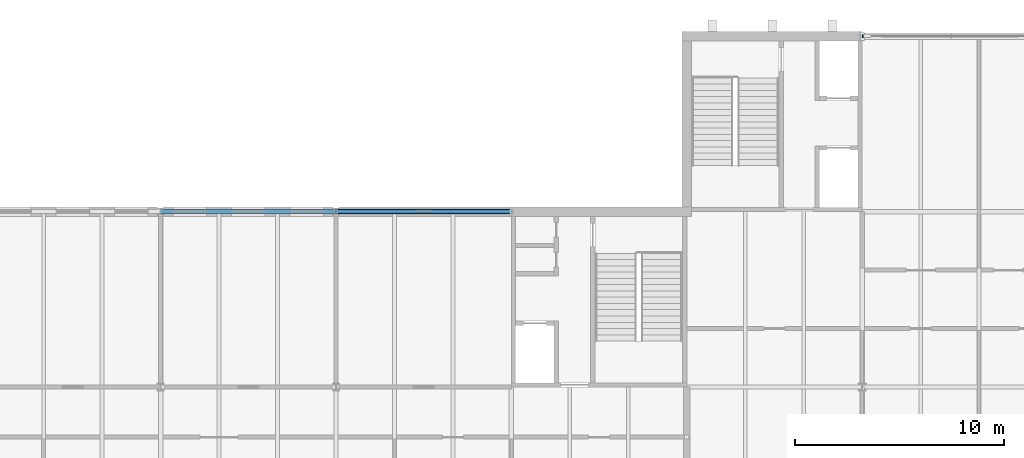
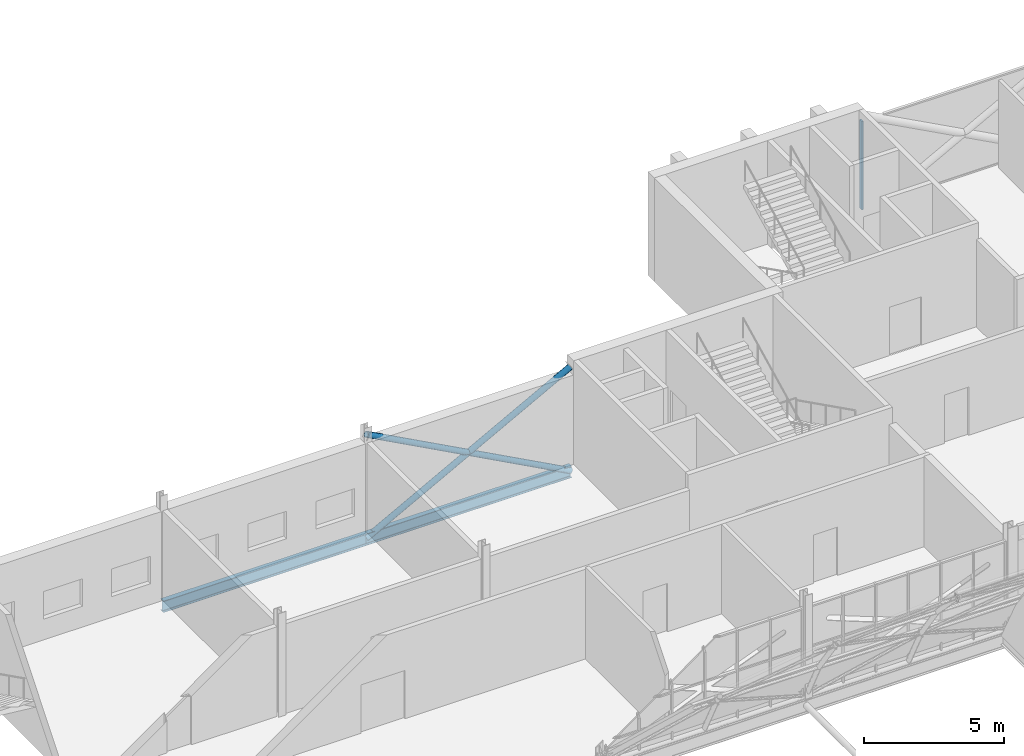
# One storey, part 62 of 121: 4 members, 2 beams, 1 element without a shape of its own.
"""IFC4 building model written with IfcOpenShell, lengths in metres."""

import ifcopenshell
import ifcopenshell.guid

model = None  # the IFC model being written
_history = None  # IfcOwnerHistory: only IFC2X3 demands one
_inside = {}  # id of a spatial element -> (the spatial element, [elements in it])
_under = {}  # id of a project, library or spatial element -> (it, [spatial elements below it])
_declared = {}  # id of a project -> (the project, [libraries it declares])
_typed = {}  # id of a type object -> (the type object, [elements of that type])
_made_of = {}  # id of a material, layer set ... -> (it, [elements and type objects made of it])


def new_model(schema):
    """Start an empty IFC model of exactly this schema.

    Asked for "IFC4X3", IfcOpenShell would pick the latest addendum, in which some entities
    have other attributes; the version numbers below select the first issue.
    IFC2X3 requires an IfcOwnerHistory on every rooted entity: one is made here for all.
    """
    global model, _history
    if schema == "IFC4X3":
        model = ifcopenshell.file(schema_version=(4, 3, 0, 0))
    else:
        model = ifcopenshell.file(schema=schema)
    _inside.clear()
    _under.clear()
    _declared.clear()
    _typed.clear()
    _made_of.clear()
    _history = None
    if model.schema == "IFC2X3":
        org = make("IfcOrganization", Name="unknown")
        user = make(
            "IfcPersonAndOrganization",
            ThePerson=make("IfcPerson", FamilyName="unknown"),
            TheOrganization=org,
        )
        app = make(
            "IfcApplication",
            ApplicationDeveloper=org,
            Version="unknown",
            ApplicationFullName="unknown",
            ApplicationIdentifier="unknown",
        )
        _history = make(
            "IfcOwnerHistory",
            OwningUser=user,
            OwningApplication=app,
            ChangeAction="ADDED",
            CreationDate=0,
        )
    return model


def make(cls, **values):
    """One entity of the class cls with the attributes given. An attribute that is None is left unset."""
    return model.create_entity(
        cls, **{name: value for name, value in values.items() if value is not None}
    )


def rooted(cls, **values):
    """An entity with a GlobalId (a new one), such as an element, a storey or a relation."""
    return make(cls, GlobalId=ifcopenshell.guid.new(), OwnerHistory=_history, **values)


def si_unit(unit_type, name, prefix=None):
    """IfcSIUnit, for example si_unit("LENGTHUNIT", "METRE", prefix="MILLI")."""
    return make("IfcSIUnit", UnitType=unit_type, Prefix=prefix, Name=name)


def assignment(units):
    """IfcUnitAssignment: the units of a project."""
    return None if units is None else make("IfcUnitAssignment", Units=units)


def point(xyz):
    """IfcCartesianPoint."""
    return None if xyz is None else make("IfcCartesianPoint", Coordinates=xyz)


def direction(xyz):
    """IfcDirection."""
    return None if xyz is None else make("IfcDirection", DirectionRatios=xyz)


def frame(location, z_axis=None, x_axis=None):
    """IfcAxis2Placement3D, a coordinate frame: its origin and axes. An axis left out is left unset."""
    return make(
        "IfcAxis2Placement3D",
        Location=point(location),
        Axis=direction(z_axis),
        RefDirection=direction(x_axis),
    )


def frame_2d(location, x_axis=None):
    """IfcAxis2Placement2D, a coordinate frame in the plane: its origin and x axis."""
    return make(
        "IfcAxis2Placement2D", Location=point(location), RefDirection=direction(x_axis)
    )


def origin():
    """The frame at (0, 0, 0) with its axes left unset."""
    return frame((0.0, 0.0, 0.0))


def origin_2d():
    """The frame at (0, 0) in the plane with its x axis left unset."""
    return frame_2d((0.0, 0.0))


def place(relative_to, where):
    """IfcLocalPlacement: puts the frame where relative to a parent placement (None: the world)."""
    return make(
        "IfcLocalPlacement", PlacementRelTo=relative_to, RelativePlacement=where
    )


def context(
    kind, dimensions, precision=None, world=None, true_north=None, identifier=None
):
    """IfcGeometricRepresentationContext, for example the 3D "Model" context."""
    return make(
        "IfcGeometricRepresentationContext",
        ContextIdentifier=identifier,
        ContextType=kind,
        CoordinateSpaceDimension=dimensions,
        Precision=precision,
        WorldCoordinateSystem=world,
        TrueNorth=true_north,
    )


def subcontext(parent, identifier, kind, view, scale=None):
    """IfcGeometricRepresentationSubContext, for example "Body" below "Model"."""
    return make(
        "IfcGeometricRepresentationSubContext",
        ContextIdentifier=identifier,
        ContextType=kind,
        ParentContext=parent,
        TargetScale=scale,
        TargetView=view,
    )


def project(units=None, contexts=None):
    """IfcProject with its units and contexts."""
    return rooted(
        "IfcProject",
        Name="project",
        RepresentationContexts=contexts,
        UnitsInContext=assignment(units),
    )


def spatial(cls, under=None, at=None, **own):
    """A site, building, storey or space (cls), placed at a placement, below another one or the project."""
    s = rooted(cls, ObjectPlacement=at, **own)
    if under is not None:
        _under.setdefault(under.id(), (under, []))[1].append(s)
    return s


def profile(cls, at=None, kind="AREA", **sizes):
    """A parametric profile (cls). Its sizes go by their IFC names, for example OverallWidth=200.0."""
    return make(cls, ProfileType=kind, Position=at, **sizes)


def rectangle(**sizes):
    """IfcRectangleProfileDef."""
    return profile("IfcRectangleProfileDef", **sizes)


def hollow_circle(**sizes):
    """IfcCircleHollowProfileDef."""
    return profile("IfcCircleHollowProfileDef", **sizes)


def i_section(**sizes):
    """IfcIShapeProfileDef."""
    return profile("IfcIShapeProfileDef", **sizes)


def extrude(swept, where, along, depth):
    """IfcExtrudedAreaSolid: the profile swept, set in the frame where, extruded along a direction by depth."""
    return make(
        "IfcExtrudedAreaSolid",
        SweptArea=swept,
        Position=where,
        ExtrudedDirection=direction(along),
        Depth=depth,
    )


def shape(context_of_items, identifier, shape_type, items):
    """IfcShapeRepresentation: the items that make up one representation, for example the "Body"."""
    return make(
        "IfcShapeRepresentation",
        ContextOfItems=context_of_items,
        RepresentationIdentifier=identifier,
        RepresentationType=shape_type,
        Items=items,
    )


def material(Name=None, Category=None):
    """IfcMaterial."""
    return make("IfcMaterial", Name=Name, Category=Category)


def layer(
    of_material, thickness, ventilated=None, Name=None, Category=None, Priority=None
):
    """IfcMaterialLayer: one layer of a wall or slab, of a material (None: an air gap)."""
    return make(
        "IfcMaterialLayer",
        Material=of_material,
        LayerThickness=thickness,
        IsVentilated=ventilated,
        Name=Name,
        Category=Category,
        Priority=Priority,
    )


def layer_set(layers, Name=None):
    """IfcMaterialLayerSet."""
    return make("IfcMaterialLayerSet", MaterialLayers=layers, LayerSetName=Name)


def material_profile(
    of_material, cross_section, Name=None, Category=None, Priority=None
):
    """IfcMaterialProfile: a cross section and its material."""
    return make(
        "IfcMaterialProfile",
        Name=Name,
        Material=of_material,
        Profile=cross_section,
        Priority=Priority,
        Category=Category,
    )


def profile_set(profiles, Name=None, composite=None):
    """IfcMaterialProfileSet."""
    return make(
        "IfcMaterialProfileSet",
        Name=Name,
        MaterialProfiles=profiles,
        CompositeProfile=composite,
    )


def made_of(thing, what):
    """Note that an element or type object is made of a material, layer set ...; save() writes the relation."""
    if what is not None:
        _made_of.setdefault(what.id(), (what, []))[1].append(thing)
    return thing


def type_object(cls, material=None, **own):
    """A type object (cls), such as IfcWallType, which elements share."""
    return made_of(rooted(cls, **own), material)


def element(
    cls,
    number,
    at=None,
    inside=None,
    cuts=None,
    type_object=None,
    material=None,
    context=None,
    identifier="Body",
    shape_type=None,
    held_by="IfcProductDefinitionShape",
    body=None,
    shapes=None,
    **own,
):
    """One element of the class cls, such as IfcWall. Its Tag is "e" and its number.

    at: its placement. inside: the storey or other place that contains it. cuts: it is an
    opening in that element (IfcRelVoidsElement). A single representation is given by context,
    identifier, shape_type and body (its items); several are given by shapes. held_by: the class
    of the entity that holds the representations. save() writes the other relations.
    """
    e = rooted(cls, Tag="e%d" % number, ObjectPlacement=at, **own)
    if body is not None:
        shapes = [shape(context, identifier, shape_type, body)]
    if shapes is not None:
        e.Representation = make(held_by, Representations=shapes)
    if inside is not None:
        _inside.setdefault(inside.id(), (inside, []))[1].append(e)
    if cuts is not None:
        rooted(
            "IfcRelVoidsElement", RelatingBuildingElement=cuts, RelatedOpeningElement=e
        )
    if type_object is not None:
        _typed.setdefault(type_object.id(), (type_object, []))[1].append(e)
    return made_of(e, material)


def aggregate(whole, parts):
    """IfcRelAggregates: a whole, such as a stair, and the parts it consists of."""
    return rooted("IfcRelAggregates", RelatingObject=whole, RelatedObjects=parts)


def save(model, path):
    """Write the relations noted so far, then the file.

    IfcRelAggregates (storeys below a building ...), IfcRelContainedInSpatialStructure (elements
    in a storey), IfcRelDefinesByType, IfcRelAssociatesMaterial and IfcRelDeclares: one each for
    every whole, place, type object, material and project.
    """
    for whole, parts in _under.values():
        aggregate(whole, parts)
    for where, things in _inside.values():
        rooted(
            "IfcRelContainedInSpatialStructure",
            RelatedElements=things,
            RelatingStructure=where,
        )
    for kind, things in _typed.values():
        rooted("IfcRelDefinesByType", RelatedObjects=things, RelatingType=kind)
    for what, things in _made_of.values():
        rooted("IfcRelAssociatesMaterial", RelatedObjects=things, RelatingMaterial=what)
    for by, libraries in _declared.values():
        rooted("IfcRelDeclares", RelatingContext=by, RelatedDefinitions=libraries)
    model.write(path)


model = new_model("IFC4")

# Units and contexts
model_context = context("Model", 3, precision=1e-05, world=origin(), true_north=direction((0.0, 1.0)))
body_context = subcontext(model_context, "Body", "Model", "MODEL_VIEW")
ifc_project = project(units=[si_unit("LENGTHUNIT", "METRE"), si_unit("AREAUNIT", "SQUARE_METRE"), si_unit("VOLUMEUNIT", "CUBIC_METRE"), si_unit("PLANEANGLEUNIT", "RADIAN"), si_unit("MASSUNIT", "GRAM", prefix="KILO")], contexts=[model_context])

# Site, building, storey
site_placement = place(None, origin())
site = spatial("IfcSite", under=ifc_project, at=site_placement, CompositionType="ELEMENT")
building_placement = place(site_placement, origin())
building = spatial("IfcBuilding", under=site, at=building_placement, Name="Ardhachandra Cancer Care Centre", CompositionType="ELEMENT")
storey_placement = place(building_placement, frame((0.0, 0.0, 9.0)))
storey = spatial("IfcBuildingStorey", under=building, at=storey_placement, Name="L02", CompositionType="ELEMENT", Elevation=9.0)

# Beams
ifc_material_1 = material(Name="Steel E350 (IS 2062)", Category="steel")
ifc_material_profile_1 = material_profile(ifc_material_1, i_section(OverallWidth=0.199951171875, OverallDepth=0.5, WebThickness=0.01025390625, FlangeThickness=0.01611328125, FilletRadius=0.02099609375, at=origin_2d()), Name="NPB 500x200x90.68")
ifc_profile_set_1 = profile_set([ifc_material_profile_1], Name="Steel E350 (IS 2062)")
beam_type = type_object("IfcBeamType", Name="Beam NPB 500x200x90.68", PredefinedType="BEAM", material=ifc_profile_set_1)
beam_1_placement = place(storey_placement, frame((86.39990234375, 96.60009765625, -0.39990234375), z_axis=(1.0, 0.0, 0.0), x_axis=(0.0, 1.0, 0.0)))
element("IfcBeam", 1, at=beam_1_placement, inside=storey, type_object=beam_type, Name="Edge girder L10-L11", PredefinedType="BEAM", context=body_context, shape_type="SweptSolid", body=[
    extrude(i_section(OverallWidth=0.199951171875, OverallDepth=0.5, WebThickness=0.01025390625, FlangeThickness=0.01611328125, FilletRadius=0.02099609375, at=origin_2d()), origin(), (0.0, 0.0, 1.0), 8.400146484375),
])
beam_2_placement = place(storey_placement, frame((94.800048828125, 96.60009765625, -0.39990234375), z_axis=(1.0, 0.0, 0.0), x_axis=(0.0, 1.0, 0.0)))
element("IfcBeam", 2, at=beam_2_placement, inside=storey, type_object=beam_type, Name="Edge girder L11-L12", PredefinedType="BEAM", context=body_context, shape_type="SweptSolid", body=[
    extrude(i_section(OverallWidth=0.199951171875, OverallDepth=0.5, WebThickness=0.01025390625, FlangeThickness=0.01611328125, FilletRadius=0.02099609375, at=origin_2d()), origin(), (0.0, 0.0, 1.0), 8.39990234375),
])

# Members
ifc_material_2 = material(Name="Steel E350 (IS 2062)", Category="steel")
ifc_material_profile_2 = material_profile(ifc_material_2, hollow_circle(Radius=0.122314453125, WallThickness=0.010009765625, at=origin_2d()), Name="CHS 244.5x10.0")
ifc_profile_set_2 = profile_set([ifc_material_profile_2], Name="Steel E350 (IS 2062)")
member_type_1 = type_object("IfcMemberType", Name="Brace CHS 244.5x10.0", PredefinedType="BRACE", material=ifc_profile_set_2)
member_1_placement = place(storey_placement, frame((94.800048828125, 96.60009765625, -0.39990234375), z_axis=(0.880698672939, 0.0, 0.473676944217), x_axis=(0.0, 1.0, 0.0)))
element("IfcMember", 3, at=member_1_placement, inside=storey, type_object=member_type_1, Name="Brace V1-X966-948 L02 A", PredefinedType="BRACE", context=body_context, shape_type="SweptSolid", body=[
    extrude(hollow_circle(Radius=0.122314453125, WallThickness=0.010009765625, at=origin_2d()), origin(), (0.0, 0.0, 1.0), 9.537841796875),
])
member_2_placement = place(storey_placement, frame((103.199951171875, 96.60009765625, -0.39990234375), z_axis=(-0.88070935116, 0.0, 0.473657089864), x_axis=(0.0, -1.0, 0.0)))
element("IfcMember", 4, at=member_2_placement, inside=storey, type_object=member_type_1, Name="Brace V1-X966-948 L02 B1", PredefinedType="BRACE", context=body_context, shape_type="SweptSolid", body=[
    extrude(hollow_circle(Radius=0.122314453125, WallThickness=0.010009765625, at=origin_2d()), origin(), (0.0, 0.0, 1.0), 4.768798828125),
])
member_3_placement = place(storey_placement, frame((99.0, 96.60009765625, 1.85888671875), z_axis=(-0.88068799453, 0.0, 0.473696797848), x_axis=(0.0, -1.0, 0.0)))
element("IfcMember", 5, at=member_3_placement, inside=storey, type_object=member_type_1, Name="Brace V1-X966-948 L02 B2", PredefinedType="BRACE", context=body_context, shape_type="SweptSolid", body=[
    extrude(hollow_circle(Radius=0.122314453125, WallThickness=0.010009765625, at=origin_2d()), origin(), (0.0, 0.0, 1.0), 4.76904296875),
])

# Curtain wall, member
ifc_material_3 = material(Name="Aluminium extrusion", Category="aluminium")
ifc_layer = layer(ifc_material_3, 0.14990234375)
ifc_layer_set = layer_set([ifc_layer], Name="Aluminium extrusion")
curtain_wall_type = type_object("IfcCurtainWallType", Name="Curtain wall run", PredefinedType="NOTDEFINED", material=ifc_layer_set)
curtain_wall_placement = place(storey_placement, origin())
curtain_wall = element("IfcCurtainWall", 6, at=curtain_wall_placement, inside=storey, type_object=curtain_wall_type, Name="Curtain wall L02 n/0120000_0105000", PredefinedType="NOTDEFINED")
ifc_material_4 = material(Name="Aluminium extrusion", Category="aluminium")
ifc_material_profile_3 = material_profile(ifc_material_4, rectangle(XDim=0.159912109375, YDim=0.06005859375, at=origin_2d()), Name="Curtain wall mullion 60 x 160")
ifc_profile_set_3 = profile_set([ifc_material_profile_3], Name="Aluminium extrusion")
member_type_2 = type_object("IfcMemberType", Name="Curtain wall mullion 60 x 160", PredefinedType="MULLION", material=ifc_profile_set_3)
member_4_placement = place(storey_placement, frame((120.030029296875, 105.0, 0.0), z_axis=(0.0, 0.0, 1.0), x_axis=(0.0, 1.0, 0.0)))
member_4 = element("IfcMember", 7, at=member_4_placement, type_object=member_type_2, Name="CW mullion 1", PredefinedType="MULLION", context=body_context, shape_type="SweptSolid", body=[
    extrude(rectangle(XDim=0.159912109375, YDim=0.06005859375, at=origin_2d()), origin(), (0.0, 0.0, 1.0), 3.85009765625),
])
aggregate(curtain_wall, [member_4])

save(model, "model.ifc")
